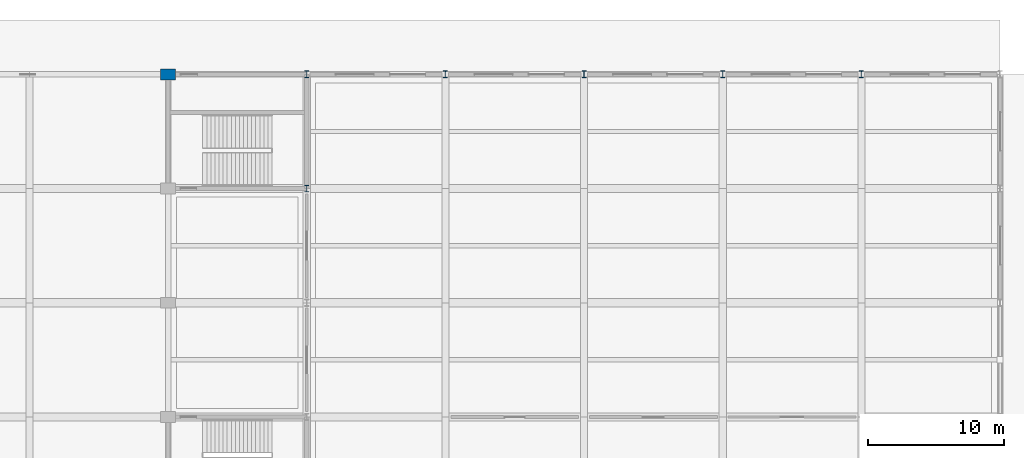
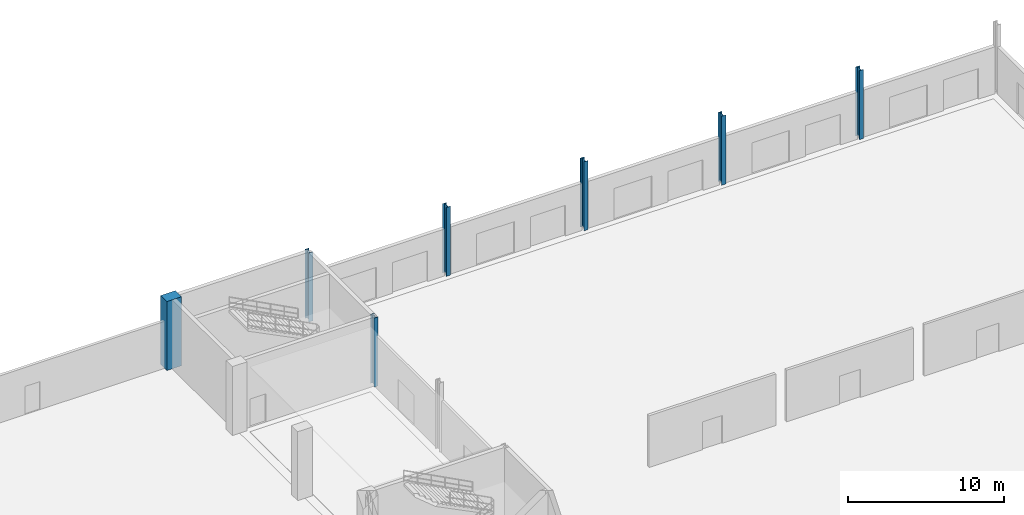
# One storey, part 21 of 124: 7 columns.
"""IFC4 building model written with IfcOpenShell, lengths in metres."""

from ifc_helpers import new_model, si_unit, direction, frame, origin, origin_2d, place, context, subcontext, project, spatial, rectangle, i_section, extrude, material, material_profile, profile_set, type_object, element, save


model = new_model("IFC4")

# Units and contexts
model_context = context("Model", 3, precision=1e-05, world=origin(), true_north=direction((0.0, 1.0)))
body_context = subcontext(model_context, "Body", "Model", "MODEL_VIEW")
ifc_project = project(units=[si_unit("LENGTHUNIT", "METRE"), si_unit("AREAUNIT", "SQUARE_METRE"), si_unit("VOLUMEUNIT", "CUBIC_METRE"), si_unit("PLANEANGLEUNIT", "RADIAN"), si_unit("MASSUNIT", "GRAM", prefix="KILO")], contexts=[model_context])

# Site, building, storey
site_placement = place(None, origin())
site = spatial("IfcSite", under=ifc_project, at=site_placement, CompositionType="ELEMENT")
building_placement = place(site_placement, origin())
building = spatial("IfcBuilding", under=site, at=building_placement, Name="Brelvane Convention Centre", CompositionType="ELEMENT")
storey_placement = place(building_placement, origin())
storey = spatial("IfcBuildingStorey", under=building, at=storey_placement, Name="L00", CompositionType="ELEMENT", Elevation=0.0)

# Columns
ifc_material_1 = material(Name="Concrete M50", Category="concrete")
ifc_material_profile_1 = material_profile(ifc_material_1, rectangle(XDim=1.10009765625, YDim=0.800048828125, at=origin_2d()), Name="RC 1100x800")
ifc_profile_set_1 = profile_set([ifc_material_profile_1], Name="Concrete M50")
column_type_1 = type_object("IfcColumnType", Name="RC Column C-RC11 (RC 1100x800)", PredefinedType="COLUMN", material=ifc_profile_set_1)
column_placement = place(storey_placement, frame((163.199951171875, 144.0, 0.0), z_axis=(0.0, 0.0, 1.0), x_axis=(1.0, 0.0, 0.0)))
element("IfcColumn", 1, at=column_placement, inside=storey, type_object=column_type_1, Name="Column 17-Q (L00)", PredefinedType="COLUMN", context=body_context, shape_type="SweptSolid", body=[
    extrude(rectangle(XDim=1.10009765625, YDim=0.800048828125, at=origin_2d()), origin(), (0.0, 0.0, 1.0), 5.39990234375),
])
ifc_material_2 = material(Name="Steel E350 (350 MPa)", Category="steel")
ifc_material_profile_2 = material_profile(ifc_material_2, i_section(OverallWidth=0.300048828125, OverallDepth=0.5, WebThickness=0.014404296875, FlangeThickness=0.028076171875, FilletRadius=0.027099609375, at=origin_2d()), Name="WPB 500x300")
ifc_profile_set_2 = profile_set([ifc_material_profile_2], Name="Steel E350 (350 MPa)")
column_type_2 = type_object("IfcColumnType", Name="Steel Column C-ST6 (WPB 500x300)", PredefinedType="COLUMN", material=ifc_profile_set_2)
for number, where, z_axis, x_axis, name in (
    (2, (173.39990234375, 135.60009765625, 0.0), (0.0, 0.0, 1.0), (1.0, 0.0, 0.0), "Column 18-P (L00)"),
    (3, (173.39990234375, 144.0, 0.0), (0.0, 0.0, 1.0), (1.0, 0.0, 0.0), "Column 18-Q (L00)"),
    (4, (183.60009765625, 144.0, 0.0), (0.0, 0.0, 1.0), (1.0, 0.0, 0.0), "Column 19-Q (L00)"),
    (5, (193.800048828125, 144.0, 0.0), (0.0, 0.0, 1.0), (1.0, 0.0, 0.0), "Column 20-Q (L00)"),
    (6, (204.0, 144.0, 0.0), (0.0, 0.0, 1.0), (1.0, 0.0, 0.0), "Column 21-Q (L00)"),
    (7, (214.199951171875, 144.0, 0.0), (0.0, 0.0, 1.0), (1.0, 0.0, 0.0), "Column 22-Q (L00)"),
):
    element("IfcColumn", number, at=place(storey_placement, frame(where, z_axis=z_axis, x_axis=x_axis)), inside=storey, type_object=column_type_2, Name=name, PredefinedType="COLUMN", context=body_context, shape_type="SweptSolid", body=[
        extrude(i_section(OverallWidth=0.300048828125, OverallDepth=0.5, WebThickness=0.014404296875, FlangeThickness=0.028076171875, FilletRadius=0.027099609375, at=origin_2d()), origin(), (0.0, 0.0, 1.0), 5.39990234375),
    ])

save(model, "model.ifc")
